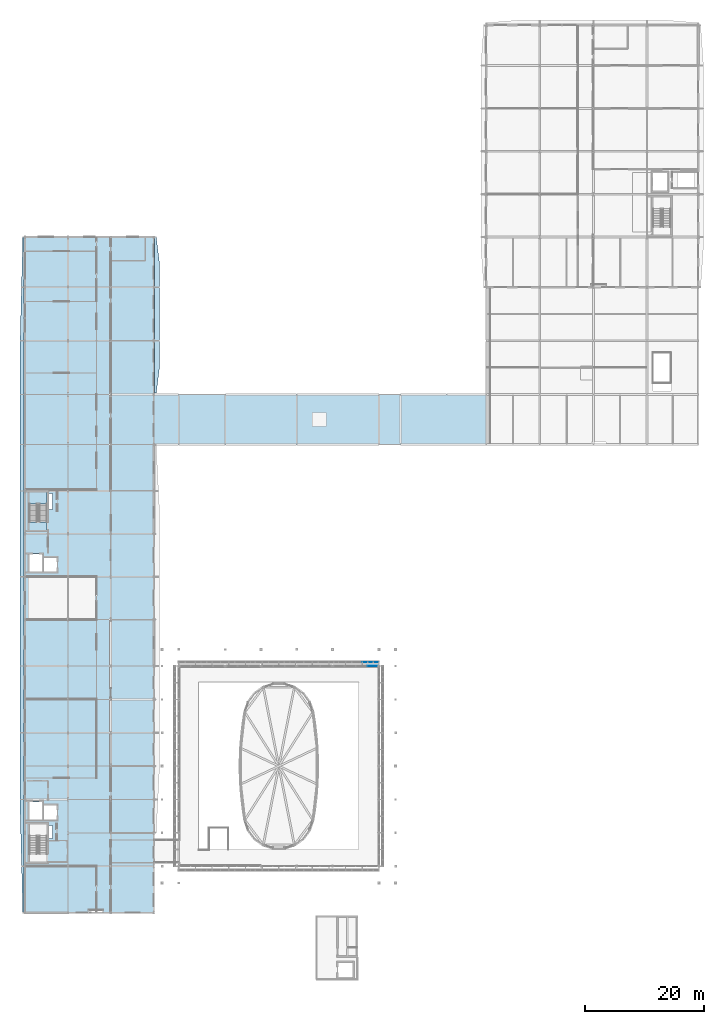
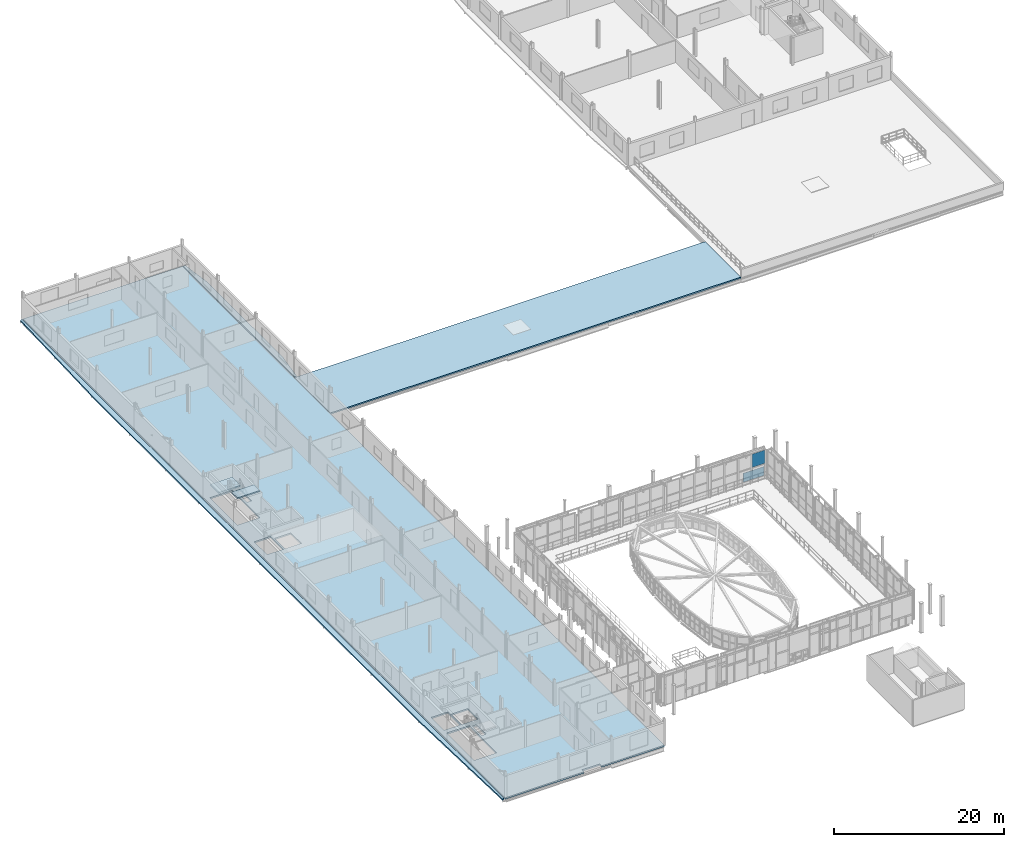
# One storey, part 55 of 78: 6 slabs, 2 plates, 2 elements without a shape of their own.
"""IFC4 building model written with IfcOpenShell, lengths in metres."""

import ifcopenshell
import ifcopenshell.guid

model = None  # the IFC model being written
_history = None  # IfcOwnerHistory: only IFC2X3 demands one
_inside = {}  # id of a spatial element -> (the spatial element, [elements in it])
_under = {}  # id of a project, library or spatial element -> (it, [spatial elements below it])
_declared = {}  # id of a project -> (the project, [libraries it declares])
_typed = {}  # id of a type object -> (the type object, [elements of that type])
_made_of = {}  # id of a material, layer set ... -> (it, [elements and type objects made of it])


def new_model(schema):
    """Start an empty IFC model of exactly this schema.

    Asked for "IFC4X3", IfcOpenShell would pick the latest addendum, in which some entities
    have other attributes; the version numbers below select the first issue.
    IFC2X3 requires an IfcOwnerHistory on every rooted entity: one is made here for all.
    """
    global model, _history
    if schema == "IFC4X3":
        model = ifcopenshell.file(schema_version=(4, 3, 0, 0))
    else:
        model = ifcopenshell.file(schema=schema)
    _inside.clear()
    _under.clear()
    _declared.clear()
    _typed.clear()
    _made_of.clear()
    _history = None
    if model.schema == "IFC2X3":
        org = make("IfcOrganization", Name="unknown")
        user = make(
            "IfcPersonAndOrganization",
            ThePerson=make("IfcPerson", FamilyName="unknown"),
            TheOrganization=org,
        )
        app = make(
            "IfcApplication",
            ApplicationDeveloper=org,
            Version="unknown",
            ApplicationFullName="unknown",
            ApplicationIdentifier="unknown",
        )
        _history = make(
            "IfcOwnerHistory",
            OwningUser=user,
            OwningApplication=app,
            ChangeAction="ADDED",
            CreationDate=0,
        )
    return model


def make(cls, **values):
    """One entity of the class cls with the attributes given. An attribute that is None is left unset."""
    return model.create_entity(
        cls, **{name: value for name, value in values.items() if value is not None}
    )


def rooted(cls, **values):
    """An entity with a GlobalId (a new one), such as an element, a storey or a relation."""
    return make(cls, GlobalId=ifcopenshell.guid.new(), OwnerHistory=_history, **values)


def si_unit(unit_type, name, prefix=None):
    """IfcSIUnit, for example si_unit("LENGTHUNIT", "METRE", prefix="MILLI")."""
    return make("IfcSIUnit", UnitType=unit_type, Prefix=prefix, Name=name)


def assignment(units):
    """IfcUnitAssignment: the units of a project."""
    return None if units is None else make("IfcUnitAssignment", Units=units)


def point(xyz):
    """IfcCartesianPoint."""
    return None if xyz is None else make("IfcCartesianPoint", Coordinates=xyz)


def direction(xyz):
    """IfcDirection."""
    return None if xyz is None else make("IfcDirection", DirectionRatios=xyz)


def frame(location, z_axis=None, x_axis=None):
    """IfcAxis2Placement3D, a coordinate frame: its origin and axes. An axis left out is left unset."""
    return make(
        "IfcAxis2Placement3D",
        Location=point(location),
        Axis=direction(z_axis),
        RefDirection=direction(x_axis),
    )


def frame_2d(location, x_axis=None):
    """IfcAxis2Placement2D, a coordinate frame in the plane: its origin and x axis."""
    return make(
        "IfcAxis2Placement2D", Location=point(location), RefDirection=direction(x_axis)
    )


def origin():
    """The frame at (0, 0, 0) with its axes left unset."""
    return frame((0.0, 0.0, 0.0))


def origin_2d():
    """The frame at (0, 0) in the plane with its x axis left unset."""
    return frame_2d((0.0, 0.0))


def place(relative_to, where):
    """IfcLocalPlacement: puts the frame where relative to a parent placement (None: the world)."""
    return make(
        "IfcLocalPlacement", PlacementRelTo=relative_to, RelativePlacement=where
    )


def context(
    kind, dimensions, precision=None, world=None, true_north=None, identifier=None
):
    """IfcGeometricRepresentationContext, for example the 3D "Model" context."""
    return make(
        "IfcGeometricRepresentationContext",
        ContextIdentifier=identifier,
        ContextType=kind,
        CoordinateSpaceDimension=dimensions,
        Precision=precision,
        WorldCoordinateSystem=world,
        TrueNorth=true_north,
    )


def subcontext(parent, identifier, kind, view, scale=None):
    """IfcGeometricRepresentationSubContext, for example "Body" below "Model"."""
    return make(
        "IfcGeometricRepresentationSubContext",
        ContextIdentifier=identifier,
        ContextType=kind,
        ParentContext=parent,
        TargetScale=scale,
        TargetView=view,
    )


def project(units=None, contexts=None):
    """IfcProject with its units and contexts."""
    return rooted(
        "IfcProject",
        Name="project",
        RepresentationContexts=contexts,
        UnitsInContext=assignment(units),
    )


def spatial(cls, under=None, at=None, **own):
    """A site, building, storey or space (cls), placed at a placement, below another one or the project."""
    s = rooted(cls, ObjectPlacement=at, **own)
    if under is not None:
        _under.setdefault(under.id(), (under, []))[1].append(s)
    return s


def polyline(points):
    """IfcPolyline through the points."""
    return make("IfcPolyline", Points=[point(p) for p in points])


def profile(cls, at=None, kind="AREA", **sizes):
    """A parametric profile (cls). Its sizes go by their IFC names, for example OverallWidth=200.0."""
    return make(cls, ProfileType=kind, Position=at, **sizes)


def rectangle(**sizes):
    """IfcRectangleProfileDef."""
    return profile("IfcRectangleProfileDef", **sizes)


def outline(outer, holes=None, kind="AREA"):
    """IfcArbitraryClosedProfileDef: a profile drawn as a closed curve; with holes, ...WithVoids."""
    if holes is None:
        return make("IfcArbitraryClosedProfileDef", ProfileType=kind, OuterCurve=outer)
    return make(
        "IfcArbitraryProfileDefWithVoids",
        ProfileType=kind,
        OuterCurve=outer,
        InnerCurves=holes,
    )


def extrude(swept, where, along, depth):
    """IfcExtrudedAreaSolid: the profile swept, set in the frame where, extruded along a direction by depth."""
    return make(
        "IfcExtrudedAreaSolid",
        SweptArea=swept,
        Position=where,
        ExtrudedDirection=direction(along),
        Depth=depth,
    )


def shape(context_of_items, identifier, shape_type, items):
    """IfcShapeRepresentation: the items that make up one representation, for example the "Body"."""
    return make(
        "IfcShapeRepresentation",
        ContextOfItems=context_of_items,
        RepresentationIdentifier=identifier,
        RepresentationType=shape_type,
        Items=items,
    )


def material(Name=None, Category=None):
    """IfcMaterial."""
    return make("IfcMaterial", Name=Name, Category=Category)


def layer(
    of_material, thickness, ventilated=None, Name=None, Category=None, Priority=None
):
    """IfcMaterialLayer: one layer of a wall or slab, of a material (None: an air gap)."""
    return make(
        "IfcMaterialLayer",
        Material=of_material,
        LayerThickness=thickness,
        IsVentilated=ventilated,
        Name=Name,
        Category=Category,
        Priority=Priority,
    )


def layer_set(layers, Name=None):
    """IfcMaterialLayerSet."""
    return make("IfcMaterialLayerSet", MaterialLayers=layers, LayerSetName=Name)


def made_of(thing, what):
    """Note that an element or type object is made of a material, layer set ...; save() writes the relation."""
    if what is not None:
        _made_of.setdefault(what.id(), (what, []))[1].append(thing)
    return thing


def type_object(cls, material=None, **own):
    """A type object (cls), such as IfcWallType, which elements share."""
    return made_of(rooted(cls, **own), material)


def element(
    cls,
    number,
    at=None,
    inside=None,
    cuts=None,
    type_object=None,
    material=None,
    context=None,
    identifier="Body",
    shape_type=None,
    held_by="IfcProductDefinitionShape",
    body=None,
    shapes=None,
    **own,
):
    """One element of the class cls, such as IfcWall. Its Tag is "e" and its number.

    at: its placement. inside: the storey or other place that contains it. cuts: it is an
    opening in that element (IfcRelVoidsElement). A single representation is given by context,
    identifier, shape_type and body (its items); several are given by shapes. held_by: the class
    of the entity that holds the representations. save() writes the other relations.
    """
    e = rooted(cls, Tag="e%d" % number, ObjectPlacement=at, **own)
    if body is not None:
        shapes = [shape(context, identifier, shape_type, body)]
    if shapes is not None:
        e.Representation = make(held_by, Representations=shapes)
    if inside is not None:
        _inside.setdefault(inside.id(), (inside, []))[1].append(e)
    if cuts is not None:
        rooted(
            "IfcRelVoidsElement", RelatingBuildingElement=cuts, RelatedOpeningElement=e
        )
    if type_object is not None:
        _typed.setdefault(type_object.id(), (type_object, []))[1].append(e)
    return made_of(e, material)


def aggregate(whole, parts):
    """IfcRelAggregates: a whole, such as a stair, and the parts it consists of."""
    return rooted("IfcRelAggregates", RelatingObject=whole, RelatedObjects=parts)


def save(model, path):
    """Write the relations noted so far, then the file.

    IfcRelAggregates (storeys below a building ...), IfcRelContainedInSpatialStructure (elements
    in a storey), IfcRelDefinesByType, IfcRelAssociatesMaterial and IfcRelDeclares: one each for
    every whole, place, type object, material and project.
    """
    for whole, parts in _under.values():
        aggregate(whole, parts)
    for where, things in _inside.values():
        rooted(
            "IfcRelContainedInSpatialStructure",
            RelatedElements=things,
            RelatingStructure=where,
        )
    for kind, things in _typed.values():
        rooted("IfcRelDefinesByType", RelatedObjects=things, RelatingType=kind)
    for what, things in _made_of.values():
        rooted("IfcRelAssociatesMaterial", RelatedObjects=things, RelatingMaterial=what)
    for by, libraries in _declared.values():
        rooted("IfcRelDeclares", RelatingContext=by, RelatedDefinitions=libraries)
    model.write(path)


model = new_model("IFC4")

# Units and contexts
model_context = context("Model", 3, precision=1e-05, world=origin(), true_north=direction((0.0, 1.0)))
body_context = subcontext(model_context, "Body", "Model", "MODEL_VIEW")
ifc_project = project(units=[si_unit("LENGTHUNIT", "METRE"), si_unit("AREAUNIT", "SQUARE_METRE"), si_unit("VOLUMEUNIT", "CUBIC_METRE"), si_unit("PLANEANGLEUNIT", "RADIAN"), si_unit("MASSUNIT", "GRAM", prefix="KILO")], contexts=[model_context])

# Site, building, storey
site_placement = place(None, origin())
site = spatial("IfcSite", under=ifc_project, at=site_placement, CompositionType="ELEMENT")
building_placement = place(site_placement, origin())
building = spatial("IfcBuilding", under=site, at=building_placement, Name="Vinh Khe Railworks Police Headquarters", CompositionType="ELEMENT")
storey_placement = place(building_placement, frame((0.0, 0.0, 13.199951171875)))
storey = spatial("IfcBuildingStorey", under=building, at=storey_placement, Name="L03", CompositionType="ELEMENT", Elevation=13.199951171875)

# Slabs
ifc_material_1 = material(Name="Concrete C35/45 (B35)", Category="concrete")
ifc_layer_1 = layer(ifc_material_1, 0.199951171875)
ifc_layer_set_1 = layer_set([ifc_layer_1], Name="Concrete C35/45 (B35)")
slab_type_1 = type_object("IfcSlabType", Name="Flat Structural Roof Slab 200", PredefinedType="ROOF", material=ifc_layer_set_1)
slab_1_placement = place(storey_placement, frame((0.0, 0.0, -0.199951171875)))
element("IfcSlab", 1, at=slab_1_placement, inside=storey, type_object=slab_type_1, Name="BRIDGE-ROOF Roof Slab (L03)", PredefinedType="ROOF", context=body_context, shape_type="SweptSolid", body=[
    extrude(outline(polyline([(22.2099609375, 96.0), (77.989990234375, 96.0), (77.989990234375, 104.39990234375), (22.2099609375, 104.39990234375), (22.2099609375, 96.0)])), origin(), (0.0, 0.0, 1.0), 0.199951171875),
])
slab_2_placement = place(storey_placement, frame((0.0, 0.0, -0.239990234375)))
element("IfcSlab", 2, at=slab_2_placement, inside=storey, type_object=slab_type_1, Name="Monsoon Window Eyebrow Hood V5W (L03)", PredefinedType="ROOF", context=body_context, shape_type="SweptSolid", body=[
    extrude(outline(polyline([(0.4599609375, 17.39990234375), (0.4599609375, 130.800048828125), (0.21142578125, 130.800048828125), (-0.25, 112.656005859375), (-0.25, 35.5439453125), (0.21142578125, 17.39990234375), (0.4599609375, 17.39990234375)])), origin(), (0.0, 0.0, 1.0), 0.199951171875),
])
slab_3_placement = place(storey_placement, frame((0.0, 0.0, -0.239990234375)))
element("IfcSlab", 3, at=slab_3_placement, inside=storey, type_object=slab_type_1, Name="Monsoon Window Eyebrow Hood V5E (L03)", PredefinedType="ROOF", context=body_context, shape_type="SweptSolid", body=[
    extrude(outline(polyline([(22.340087890625, 104.60009765625), (22.62353515625, 104.60009765625), (23.14990234375, 108.7919921875), (23.14990234375, 126.60791015625), (22.62353515625, 130.800048828125), (22.340087890625, 130.800048828125), (22.340087890625, 104.60009765625)])), origin(), (0.0, 0.0, 1.0), 0.199951171875),
])

# Curtain wall, plate
ifc_material_2 = material(Name="Anodised aluminium and low-iron glass", Category="aluminium")
ifc_layer_2 = layer(ifc_material_2, 0.179931640625)
ifc_layer_set_2 = layer_set([ifc_layer_2], Name="Anodised aluminium and low-iron glass")
curtain_wall_type = type_object("IfcCurtainWallType", Name="CW-CUBE-UNIT", PredefinedType="USERDEFINED", material=ifc_layer_set_2)
curtain_wall_placement = place(storey_placement, origin())
curtain_wall = element("IfcCurtainWall", 4, at=curtain_wall_placement, inside=storey, type_object=curtain_wall_type, Name="Entrance Hall Curtain Wall L03 N-5", ObjectType="UNITISED GLAZING", PredefinedType="USERDEFINED")
ifc_material_3 = material(Name="Low-iron laminated solar-control glass", Category="glass")
ifc_layer_3 = layer(ifc_material_3, 0.028076171875)
ifc_layer_set_3 = layer_set([ifc_layer_3], Name="Low-iron laminated solar-control glass")
plate_type_1 = type_object("IfcPlateType", Name="PAN-GLZ-28", PredefinedType="CURTAIN_PANEL", material=ifc_layer_set_3)
plate_1_placement = place(storey_placement, frame((58.887451171875, 58.800048828125, 2.21923828125), z_axis=(0.0, 0.0, 1.0), x_axis=(1.0, 0.0, 0.0)))
plate_1 = element("IfcPlate", 5, at=plate_1_placement, type_object=plate_type_1, Name="CW-01 panel 4.2", PredefinedType="CURTAIN_PANEL", context=body_context, shape_type="SweptSolid", body=[
    extrude(rectangle(XDim=1.764892578125, YDim=0.028076171875, at=origin_2d()), origin(), (0.0, 0.0, 1.0), 1.910888671875),
])
aggregate(curtain_wall, [plate_1])

# Plate
ifc_material_4 = material(Name="Salvaged ironwood timber", Category="wood")
ifc_layer_4 = layer(ifc_material_4, 0.050048828125)
ifc_layer_set_4 = layer_set([ifc_layer_4], Name="Salvaged ironwood timber")
plate_type_2 = type_object("IfcPlateType", Name="PLT-QP-03", PredefinedType="SHEET", material=ifc_layer_set_4)
plate_2_placement = place(storey_placement, frame((58.60009765625, 59.449951171875, 0.0), z_axis=(0.0, 0.0, 1.0), x_axis=(1.0, 0.0, 0.0)))
element("IfcPlate", 6, at=plate_2_placement, inside=storey, type_object=plate_type_2, Name="Salvaged Ironwood Panelled Casement N-12", PredefinedType="SHEET", context=body_context, shape_type="SweptSolid", body=[
    extrude(rectangle(XDim=2.800048828125, YDim=0.050048828125, at=origin_2d()), origin(), (0.0, 0.0, 1.0), 1.260009765625),
])

# Stair, slabs
ifc_material_5 = material(Name="Precast concrete C40/50 (B40)", Category="concrete")
stair_type = type_object("IfcStairType", Name="ST-CORE-DOGLEG", PredefinedType="HALF_TURN_STAIR", material=ifc_material_5)
stair_placement = place(storey_placement, origin())
stair = element("IfcStair", 7, at=stair_placement, inside=storey, type_object=stair_type, Name="L03 Escape Stair ST-02", PredefinedType="HALF_TURN_STAIR")
ifc_layer_5 = layer(ifc_material_1, 0.199951171875)
ifc_layer_set_5 = layer_set([ifc_layer_5], Name="Concrete C35/45 (B35)")
slab_type_2 = type_object("IfcSlabType", Name="SLB-LAND-200", PredefinedType="LANDING", material=ifc_layer_set_5)
slab_4_placement = place(storey_placement, frame((0.0, 0.0, 1.75)))
slab_4 = element("IfcSlab", 8, at=slab_4_placement, type_object=slab_type_2, Name="ST-02 landing 1", PredefinedType="LANDING", context=body_context, shape_type="SweptSolid", body=[
    extrude(outline(polyline([(4.300048828125, 86.030029296875), (4.300048828125, 88.0), (1.300048828125, 88.0), (1.300048828125, 86.030029296875), (4.300048828125, 86.030029296875)])), origin(), (0.0, 0.0, 1.0), 0.199951171875),
])
slab_5_placement = place(storey_placement, frame((0.0, 0.0, 3.699951171875)))
slab_5 = element("IfcSlab", 9, at=slab_5_placement, type_object=slab_type_2, Name="ST-02 landing 2", PredefinedType="LANDING", context=body_context, shape_type="SweptSolid", body=[
    extrude(outline(polyline([(1.280029296875, 81.580078125), (4.320068359375, 81.580078125), (4.320068359375, 82.9599609375), (1.280029296875, 82.9599609375), (1.280029296875, 81.580078125)])), origin(), (0.0, 0.0, 1.0), 0.2001953125),
])
aggregate(stair, [slab_4, slab_5])

# Slab
ifc_layer_6 = layer(ifc_material_1, 0.219970703125)
ifc_layer_set_6 = layer_set([ifc_layer_6], Name="Concrete C35/45 (B35)")
slab_type_3 = type_object("IfcSlabType", Name="Suspended Floor Slab 220", PredefinedType="FLOOR", material=ifc_layer_set_6)
slab_6_placement = place(storey_placement, frame((0.0, 0.0, -0.219970703125)))
element("IfcSlab", 10, at=slab_6_placement, inside=storey, type_object=slab_type_3, Name="V5 Floor Slab (L03)", PredefinedType="FLOOR", context=body_context, shape_type="SweptSolid", body=[
    extrude(outline(polyline([(0.60009765625, 17.39990234375), (11.300048828125, 17.39990234375), (11.300048828125, 17.85009765625), (13.699951171875, 17.85009765625), (13.699951171875, 17.39990234375), (22.199951171875, 17.39990234375), (22.199951171875, 130.800048828125), (0.60009765625, 130.800048828125), (0.60009765625, 17.39990234375)]), holes=[polyline([(1.27001953125, 25.8701171875), (4.330078125, 25.8701171875), (4.330078125, 32.330078125), (1.27001953125, 32.330078125), (1.27001953125, 25.8701171875)]), polyline([(1.280029296875, 32.97998046875), (3.52001953125, 32.97998046875), (3.52001953125, 36.02001953125), (1.280029296875, 36.02001953125), (1.280029296875, 32.97998046875)]), polyline([(3.679931640625, 32.97998046875), (5.919921875, 32.97998046875), (5.919921875, 35.419921875), (3.679931640625, 35.419921875), (3.679931640625, 32.97998046875)]), polyline([(1.27001953125, 81.570068359375), (4.330078125, 81.570068359375), (4.330078125, 88.030029296875), (1.27001953125, 88.030029296875), (1.27001953125, 81.570068359375)]), polyline([(1.280029296875, 74.580078125), (3.52001953125, 74.580078125), (3.52001953125, 77.6201171875), (1.280029296875, 77.6201171875), (1.280029296875, 74.580078125)]), polyline([(3.679931640625, 74.580078125), (5.919921875, 74.580078125), (5.919921875, 77.02001953125), (3.679931640625, 77.02001953125), (3.679931640625, 74.580078125)]), polyline([(4.60009765625, 29.85009765625), (5.179931640625, 29.85009765625), (5.179931640625, 32.050048828125), (4.60009765625, 32.050048828125), (4.60009765625, 29.85009765625)]), polyline([(4.60009765625, 85.050048828125), (5.219970703125, 85.050048828125), (5.219970703125, 87.75), (4.60009765625, 87.75), (4.60009765625, 85.050048828125)])]), origin(), (0.0, 0.0, 1.0), 0.219970703125),
])

save(model, "model.ifc")
